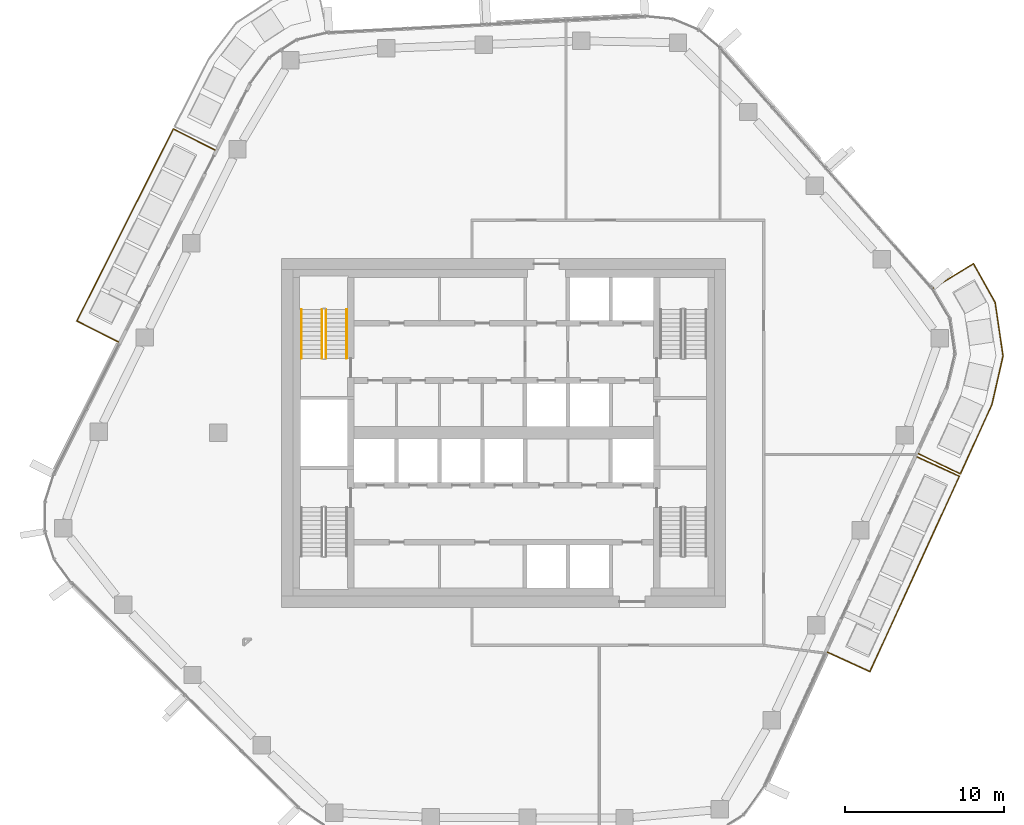
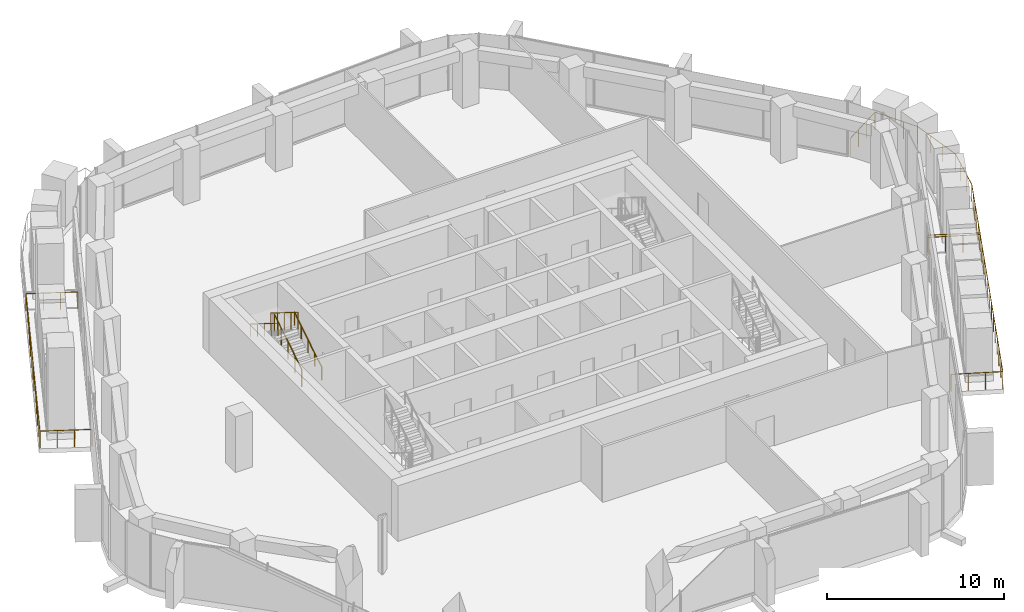
# One storey, part 19 of 22: 7 railings.
"""IFC4 building model written with IfcOpenShell, lengths in metres."""

from ifc_helpers import new_model, si_unit, direction, frame, origin, origin_2d, place, context, subcontext, project, spatial, circle, extrude, material, type_object, element, save


model = new_model("IFC4")

# Units and contexts
model_context = context("Model", 3, precision=1e-05, world=origin(), true_north=direction((0.0, 1.0)))
body_context = subcontext(model_context, "Body", "Model", "MODEL_VIEW")
ifc_project = project(units=[si_unit("LENGTHUNIT", "METRE"), si_unit("AREAUNIT", "SQUARE_METRE"), si_unit("VOLUMEUNIT", "CUBIC_METRE"), si_unit("PLANEANGLEUNIT", "RADIAN"), si_unit("MASSUNIT", "GRAM", prefix="KILO")], contexts=[model_context])

# Site, building, storey
site_placement = place(None, origin())
site = spatial("IfcSite", under=ifc_project, at=site_placement, CompositionType="ELEMENT")
building_placement = place(site_placement, origin())
building = spatial("IfcBuilding", under=site, at=building_placement, Name="Dongbaek Canopy Tower", CompositionType="ELEMENT")
storey_placement = place(building_placement, frame((0.0, 0.0, 237.0)))
storey = spatial("IfcBuildingStorey", under=building, at=storey_placement, Name="L49", CompositionType="ELEMENT", Elevation=237.0)

# Railings
ifc_material_1 = material(Name="Stainless steel", Category="steel")
railing_type_1 = type_object("IfcRailingType", Name="Balcony balustrade 1200", PredefinedType="BALUSTRADE", material=ifc_material_1)
railing_1_placement = place(storey_placement, frame((-18.20263671875, 17.837646484375, 0.0)))
element("IfcRailing", 1, at=railing_1_placement, inside=storey, type_object=railing_type_1, Name="Balcony guard L49 1", PredefinedType="BALUSTRADE", context=body_context, shape_type="SweptSolid", body=[
    extrude(circle(Radius=0.02392578125, at=origin_2d()), frame((0.0, 0.0, 1.17578125), z_axis=(-0.893561857338, 0.448940093008, 0.0), x_axis=(-0.448940093008, -0.893561857338, 0.0)), (0.0, 0.0, 1.0), 2.93994140625),
    extrude(circle(Radius=0.02392578125, at=origin_2d()), frame((-2.626953125, 1.31982421875, 1.17578125), z_axis=(-0.448906235876, -0.893578866912, 0.0), x_axis=(0.893578866912, -0.448906235876, 0.0)), (0.0, 0.0, 1.0), 13.5517578125),
    extrude(circle(Radius=0.02392578125, at=origin_2d()), frame((-8.71044921875, -10.789794921875, 1.17578125), z_axis=(0.893561857338, -0.448940093008, 0.0), x_axis=(0.448940093008, 0.893561857338, 0.0)), (0.0, 0.0, 1.0), 2.93994140625),
    extrude(circle(Radius=0.02099609375, at=origin_2d()), origin(), (0.0, 0.0, 1.0), 1.15185546875),
    extrude(circle(Radius=0.02099609375, at=origin_2d()), frame((-0.875732421875, 0.43994140625, 0.0)), (0.0, 0.0, 1.0), 1.15185546875),
    extrude(circle(Radius=0.02099609375, at=origin_2d()), frame((-1.751220703125, 0.8798828125, 0.0)), (0.0, 0.0, 1.0), 1.15185546875),
    extrude(circle(Radius=0.02099609375, at=origin_2d()), frame((-2.626953125, 1.31982421875, 0.0)), (0.0, 0.0, 1.0), 1.15185546875),
    extrude(circle(Radius=0.02099609375, at=origin_2d()), frame((-3.1337890625, 0.310791015625, 0.0)), (0.0, 0.0, 1.0), 1.15185546875),
    extrude(circle(Radius=0.02099609375, at=origin_2d()), frame((-3.640869140625, -0.698486328125, 0.0)), (0.0, 0.0, 1.0), 1.15185546875),
    extrude(circle(Radius=0.02099609375, at=origin_2d()), frame((-4.14794921875, -1.70751953125, 0.0)), (0.0, 0.0, 1.0), 1.15185546875),
    extrude(circle(Radius=0.02099609375, at=origin_2d()), frame((-4.65478515625, -2.716796875, 0.0)), (0.0, 0.0, 1.0), 1.15185546875),
    extrude(circle(Radius=0.02099609375, at=origin_2d()), frame((-5.16162109375, -3.725830078125, 0.0)), (0.0, 0.0, 1.0), 1.15185546875),
    extrude(circle(Radius=0.02099609375, at=origin_2d()), frame((-5.668701171875, -4.73486328125, 0.0)), (0.0, 0.0, 1.0), 1.15185546875),
    extrude(circle(Radius=0.02099609375, at=origin_2d()), frame((-6.17578125, -5.744140625, 0.0)), (0.0, 0.0, 1.0), 1.15185546875),
    extrude(circle(Radius=0.02099609375, at=origin_2d()), frame((-6.6826171875, -6.753173828125, 0.0)), (0.0, 0.0, 1.0), 1.15185546875),
    extrude(circle(Radius=0.02099609375, at=origin_2d()), frame((-7.189453125, -7.762451171875, 0.0)), (0.0, 0.0, 1.0), 1.15185546875),
    extrude(circle(Radius=0.02099609375, at=origin_2d()), frame((-7.696533203125, -8.771484375, 0.0)), (0.0, 0.0, 1.0), 1.15185546875),
    extrude(circle(Radius=0.02099609375, at=origin_2d()), frame((-8.20361328125, -9.78076171875, 0.0)), (0.0, 0.0, 1.0), 1.15185546875),
    extrude(circle(Radius=0.02099609375, at=origin_2d()), frame((-8.71044921875, -10.789794921875, 0.0)), (0.0, 0.0, 1.0), 1.15185546875),
    extrude(circle(Radius=0.02099609375, at=origin_2d()), frame((-7.834716796875, -11.229736328125, 0.0)), (0.0, 0.0, 1.0), 1.15185546875),
    extrude(circle(Radius=0.02099609375, at=origin_2d()), frame((-6.959228515625, -11.669677734375, 0.0)), (0.0, 0.0, 1.0), 1.15185546875),
    extrude(circle(Radius=0.02099609375, at=origin_2d()), frame((-6.08349609375, -12.109619140625, 0.0)), (0.0, 0.0, 1.0), 1.15185546875),
])
railing_2_placement = place(storey_placement, frame((20.420166015625, -13.833740234375, 0.0)))
element("IfcRailing", 2, at=railing_2_placement, inside=storey, type_object=railing_type_1, Name="Balcony guard L49 2", PredefinedType="BALUSTRADE", context=body_context, shape_type="SweptSolid", body=[
    extrude(circle(Radius=0.02392578125, at=origin_2d()), frame((0.0, 0.0, 1.17578125), z_axis=(0.909339851733, -0.416054123944, 0.0), x_axis=(0.416054123944, 0.909339851733, 0.0)), (0.0, 0.0, 1.0), 2.93994140625),
    extrude(circle(Radius=0.02392578125, at=origin_2d()), frame((2.67333984375, -1.22314453125, 1.17578125), z_axis=(0.416110312837, 0.90931414129, 0.0), x_axis=(-0.90931414129, 0.416110312837, 0.0)), (0.0, 0.0, 1.0), 13.54443359375),
    extrude(circle(Radius=0.02392578125, at=origin_2d()), frame((8.309326171875, 11.093017578125, 1.17578125), z_axis=(-0.90930843153, 0.41612278999, 0.0), x_axis=(-0.41612278999, -0.90930843153, 0.0)), (0.0, 0.0, 1.0), 2.93994140625),
    extrude(circle(Radius=0.02099609375, at=origin_2d()), origin(), (0.0, 0.0, 1.0), 1.15185546875),
    extrude(circle(Radius=0.02099609375, at=origin_2d()), frame((0.89111328125, -0.40771484375, 0.0)), (0.0, 0.0, 1.0), 1.15185546875),
    extrude(circle(Radius=0.02099609375, at=origin_2d()), frame((1.7822265625, -0.8154296875, 0.0)), (0.0, 0.0, 1.0), 1.15185546875),
    extrude(circle(Radius=0.02099609375, at=origin_2d()), frame((2.67333984375, -1.22314453125, 0.0)), (0.0, 0.0, 1.0), 1.15185546875),
    extrude(circle(Radius=0.02099609375, at=origin_2d()), frame((3.14306640625, -0.19677734375, 0.0)), (0.0, 0.0, 1.0), 1.15185546875),
    extrude(circle(Radius=0.02099609375, at=origin_2d()), frame((3.61279296875, 0.82958984375, 0.0)), (0.0, 0.0, 1.0), 1.15185546875),
    extrude(circle(Radius=0.02099609375, at=origin_2d()), frame((4.082275390625, 1.85595703125, 0.0)), (0.0, 0.0, 1.0), 1.15185546875),
    extrude(circle(Radius=0.02099609375, at=origin_2d()), frame((4.552001953125, 2.88232421875, 0.0)), (0.0, 0.0, 1.0), 1.15185546875),
    extrude(circle(Radius=0.02099609375, at=origin_2d()), frame((5.021728515625, 3.90869140625, 0.0)), (0.0, 0.0, 1.0), 1.15185546875),
    extrude(circle(Radius=0.02099609375, at=origin_2d()), frame((5.4912109375, 4.93505859375, 0.0)), (0.0, 0.0, 1.0), 1.15185546875),
    extrude(circle(Radius=0.02099609375, at=origin_2d()), frame((5.9609375, 5.961181640625, 0.0)), (0.0, 0.0, 1.0), 1.15185546875),
    extrude(circle(Radius=0.02099609375, at=origin_2d()), frame((6.4306640625, 6.987548828125, 0.0)), (0.0, 0.0, 1.0), 1.15185546875),
    extrude(circle(Radius=0.02099609375, at=origin_2d()), frame((6.900390625, 8.013916015625, 0.0)), (0.0, 0.0, 1.0), 1.15185546875),
    extrude(circle(Radius=0.02099609375, at=origin_2d()), frame((7.3701171875, 9.040283203125, 0.0)), (0.0, 0.0, 1.0), 1.15185546875),
    extrude(circle(Radius=0.02099609375, at=origin_2d()), frame((7.839599609375, 10.066650390625, 0.0)), (0.0, 0.0, 1.0), 1.15185546875),
    extrude(circle(Radius=0.02099609375, at=origin_2d()), frame((8.309326171875, 11.093017578125, 0.0)), (0.0, 0.0, 1.0), 1.15185546875),
    extrude(circle(Radius=0.02099609375, at=origin_2d()), frame((7.418212890625, 11.500732421875, 0.0)), (0.0, 0.0, 1.0), 1.15185546875),
    extrude(circle(Radius=0.02099609375, at=origin_2d()), frame((6.527099609375, 11.90869140625, 0.0)), (0.0, 0.0, 1.0), 1.15185546875),
    extrude(circle(Radius=0.02099609375, at=origin_2d()), frame((5.635986328125, 12.31640625, 0.0)), (0.0, 0.0, 1.0), 1.15185546875),
])
railing_3_placement = place(storey_placement, frame((26.147705078125, -1.3173828125, 0.0)))
element("IfcRailing", 3, at=railing_3_placement, inside=storey, type_object=railing_type_1, Name="Balcony guard L49 3", PredefinedType="BALUSTRADE", context=body_context, shape_type="SweptSolid", body=[
    extrude(circle(Radius=0.02392578125, at=origin_2d()), frame((0.0, 0.0, 1.17578125), z_axis=(0.900648008926, -0.434549380413, 0.0), x_axis=(0.434549380413, 0.900648008926, 0.0)), (0.0, 0.0, 1.0), 2.940673828125),
    extrude(circle(Radius=0.02392578125, at=origin_2d()), frame((2.6484375, -1.27783203125, 1.17578125), z_axis=(0.413573956209, 0.910470528213, 0.0), x_axis=(-0.910470528213, 0.413573956209, 0.0)), (0.0, 0.0, 1.0), 4.820068359375),
    extrude(circle(Radius=0.02392578125, at=origin_2d()), frame((4.641845703125, 3.110595703125, 1.17578125), z_axis=(0.22237203098, 0.974961886351, 0.0), x_axis=(-0.974961886351, 0.22237203098, 0.0)), (0.0, 0.0, 1.0), 3.13330078125),
    extrude(circle(Radius=0.02392578125, at=origin_2d()), frame((5.338623046875, 6.16552734375, 1.17578125), z_axis=(-0.146377531235, 0.989228799798, 0.0), x_axis=(-0.989228799798, -0.146377531235, 0.0)), (0.0, 0.0, 1.0), 3.41259765625),
    extrude(circle(Radius=0.02392578125, at=origin_2d()), frame((4.839111328125, 9.541259765625, 1.17578125), z_axis=(-0.489706776899, 0.871887190329, 0.0), x_axis=(-0.871887190329, -0.489706776899, 0.0)), (0.0, 0.0, 1.0), 2.8017578125),
    extrude(circle(Radius=0.02392578125, at=origin_2d()), frame((3.467041015625, 11.984130859375, 1.17578125), z_axis=(-0.85177802497, -0.523902849943, 0.0), x_axis=(0.523902849943, -0.85177802497, 0.0)), (0.0, 0.0, 1.0), 2.9404296875),
    extrude(circle(Radius=0.02099609375, at=origin_2d()), origin(), (0.0, 0.0, 1.0), 1.15185546875),
    extrude(circle(Radius=0.02099609375, at=origin_2d()), frame((0.8828125, -0.426025390625, 0.0)), (0.0, 0.0, 1.0), 1.15185546875),
    extrude(circle(Radius=0.02099609375, at=origin_2d()), frame((1.765625, -0.851806640625, 0.0)), (0.0, 0.0, 1.0), 1.15185546875),
    extrude(circle(Radius=0.02099609375, at=origin_2d()), frame((2.6484375, -1.27783203125, 0.0)), (0.0, 0.0, 1.0), 1.15185546875),
    extrude(circle(Radius=0.02099609375, at=origin_2d()), frame((3.047119140625, -0.400146484375, 0.0)), (0.0, 0.0, 1.0), 1.15185546875),
    extrude(circle(Radius=0.02099609375, at=origin_2d()), frame((3.44580078125, 0.4775390625, 0.0)), (0.0, 0.0, 1.0), 1.15185546875),
    extrude(circle(Radius=0.02099609375, at=origin_2d()), frame((3.844482421875, 1.355224609375, 0.0)), (0.0, 0.0, 1.0), 1.15185546875),
    extrude(circle(Radius=0.02099609375, at=origin_2d()), frame((4.2431640625, 2.23291015625, 0.0)), (0.0, 0.0, 1.0), 1.15185546875),
    extrude(circle(Radius=0.02099609375, at=origin_2d()), frame((4.641845703125, 3.110595703125, 0.0)), (0.0, 0.0, 1.0), 1.15185546875),
    extrude(circle(Radius=0.02099609375, at=origin_2d()), frame((4.8740234375, 4.12890625, 0.0)), (0.0, 0.0, 1.0), 1.15185546875),
    extrude(circle(Radius=0.02099609375, at=origin_2d()), frame((5.1064453125, 5.147216796875, 0.0)), (0.0, 0.0, 1.0), 1.15185546875),
    extrude(circle(Radius=0.02099609375, at=origin_2d()), frame((5.338623046875, 6.16552734375, 0.0)), (0.0, 0.0, 1.0), 1.15185546875),
    extrude(circle(Radius=0.02099609375, at=origin_2d()), frame((5.172119140625, 7.290771484375, 0.0)), (0.0, 0.0, 1.0), 1.15185546875),
    extrude(circle(Radius=0.02099609375, at=origin_2d()), frame((5.005615234375, 8.416015625, 0.0)), (0.0, 0.0, 1.0), 1.15185546875),
    extrude(circle(Radius=0.02099609375, at=origin_2d()), frame((4.839111328125, 9.541259765625, 0.0)), (0.0, 0.0, 1.0), 1.15185546875),
    extrude(circle(Radius=0.02099609375, at=origin_2d()), frame((4.3818359375, 10.35546875, 0.0)), (0.0, 0.0, 1.0), 1.15185546875),
    extrude(circle(Radius=0.02099609375, at=origin_2d()), frame((3.92431640625, 11.169921875, 0.0)), (0.0, 0.0, 1.0), 1.15185546875),
    extrude(circle(Radius=0.02099609375, at=origin_2d()), frame((3.467041015625, 11.984130859375, 0.0)), (0.0, 0.0, 1.0), 1.15185546875),
    extrude(circle(Radius=0.02099609375, at=origin_2d()), frame((2.632080078125, 11.470703125, 0.0)), (0.0, 0.0, 1.0), 1.15185546875),
    extrude(circle(Radius=0.02099609375, at=origin_2d()), frame((1.79736328125, 10.95703125, 0.0)), (0.0, 0.0, 1.0), 1.15185546875),
    extrude(circle(Radius=0.02099609375, at=origin_2d()), frame((0.96240234375, 10.443603515625, 0.0)), (0.0, 0.0, 1.0), 1.15185546875),
])
ifc_material_2 = material(Name="Stainless steel tube and balusters", Category="steel")
railing_type_2 = type_object("IfcRailingType", Name="Stair guard 1200", PredefinedType="GUARDRAIL", material=ifc_material_2)
railing_4_placement = place(storey_placement, frame((-11.199951171875, 4.699951171875, 0.175048828125)))
element("IfcRailing", 4, at=railing_4_placement, inside=storey, type_object=railing_type_2, Name="L49 ST-C stair guard 1", PredefinedType="GUARDRAIL", context=body_context, shape_type="SweptSolid", body=[
    extrude(circle(Radius=0.02392578125, at=origin_2d()), frame((0.0, 0.0, 1.17578125), z_axis=(0.0, 0.847998304005, 0.529998940003), x_axis=(-1.0, 0.0, 0.0)), (0.0, 0.0, 1.0), 3.632080078125),
    extrude(circle(Radius=0.02099609375, at=origin_2d()), origin(), (0.0, 0.0, 1.0), 1.15185546875),
    extrude(circle(Radius=0.02099609375, at=origin_2d()), frame((0.0, 0.77001953125, 0.481201171875)), (0.0, 0.0, 1.0), 1.15185546875),
    extrude(circle(Radius=0.02099609375, at=origin_2d()), frame((0.0, 1.5400390625, 0.96240234375)), (0.0, 0.0, 1.0), 1.15185546875),
    extrude(circle(Radius=0.02099609375, at=origin_2d()), frame((0.0, 2.31005859375, 1.44384765625)), (0.0, 0.0, 1.0), 1.15185546875),
    extrude(circle(Radius=0.02099609375, at=origin_2d()), frame((0.0, 3.080078125, 1.925048828125)), (0.0, 0.0, 1.0), 1.15185546875),
])
railing_5_placement = place(storey_placement, frame((-11.449951171875, 7.780029296875, 2.27490234375)))
element("IfcRailing", 5, at=railing_5_placement, inside=storey, type_object=railing_type_2, Name="L49 ST-C stair guard 3", PredefinedType="GUARDRAIL", context=body_context, shape_type="SweptSolid", body=[
    extrude(circle(Radius=0.02392578125, at=origin_2d()), frame((0.0, 0.0, 1.17578125), z_axis=(0.0, -0.847998304005, 0.529998940003), x_axis=(1.0, 0.0, 0.0)), (0.0, 0.0, 1.0), 3.632080078125),
    extrude(circle(Radius=0.02099609375, at=origin_2d()), origin(), (0.0, 0.0, 1.0), 1.15185546875),
    extrude(circle(Radius=0.02099609375, at=origin_2d()), frame((0.0, -0.77001953125, 0.481201171875)), (0.0, 0.0, 1.0), 1.15185546875),
    extrude(circle(Radius=0.02099609375, at=origin_2d()), frame((0.0, -1.5400390625, 0.96240234375)), (0.0, 0.0, 1.0), 1.15185546875),
    extrude(circle(Radius=0.02099609375, at=origin_2d()), frame((0.0, -2.31005859375, 1.44384765625)), (0.0, 0.0, 1.0), 1.15185546875),
    extrude(circle(Radius=0.02099609375, at=origin_2d()), frame((0.0, -3.080078125, 1.925048828125)), (0.0, 0.0, 1.0), 1.15185546875),
])
ifc_material_3 = material(Name="Stainless steel tube", Category="steel")
railing_type_3 = type_object("IfcRailingType", Name="Stair handrail 900", PredefinedType="HANDRAIL", material=ifc_material_3)
railing_6_placement = place(storey_placement, frame((-9.89990234375, 4.699951171875, 0.175048828125)))
element("IfcRailing", 6, at=railing_6_placement, inside=storey, type_object=railing_type_3, Name="L49 ST-C stair handrail 1", PredefinedType="HANDRAIL", context=body_context, shape_type="SweptSolid", body=[
    extrude(circle(Radius=0.02392578125, at=origin_2d()), frame((0.0, 0.0, 0.8759765625), z_axis=(0.0, 0.847998304005, 0.529998940003), x_axis=(-1.0, 0.0, 0.0)), (0.0, 0.0, 1.0), 3.632080078125),
    extrude(circle(Radius=0.02099609375, at=origin_2d()), origin(), (0.0, 0.0, 1.0), 0.851806640625),
    extrude(circle(Radius=0.02099609375, at=origin_2d()), frame((0.0, 0.77001953125, 0.481201171875)), (0.0, 0.0, 1.0), 0.851806640625),
    extrude(circle(Radius=0.02099609375, at=origin_2d()), frame((0.0, 1.5400390625, 0.96240234375)), (0.0, 0.0, 1.0), 0.851806640625),
    extrude(circle(Radius=0.02099609375, at=origin_2d()), frame((0.0, 2.31005859375, 1.44384765625)), (0.0, 0.0, 1.0), 0.851806640625),
    extrude(circle(Radius=0.02099609375, at=origin_2d()), frame((0.0, 3.080078125, 1.925048828125)), (0.0, 0.0, 1.0), 0.851806640625),
])
railing_7_placement = place(storey_placement, frame((-12.75, 7.780029296875, 2.27490234375)))
element("IfcRailing", 7, at=railing_7_placement, inside=storey, type_object=railing_type_3, Name="L49 ST-C stair handrail 2", PredefinedType="HANDRAIL", context=body_context, shape_type="SweptSolid", body=[
    extrude(circle(Radius=0.02392578125, at=origin_2d()), frame((0.0, 0.0, 0.8759765625), z_axis=(0.0, -0.847998304005, 0.529998940003), x_axis=(1.0, 0.0, 0.0)), (0.0, 0.0, 1.0), 3.632080078125),
    extrude(circle(Radius=0.02099609375, at=origin_2d()), origin(), (0.0, 0.0, 1.0), 0.851806640625),
    extrude(circle(Radius=0.02099609375, at=origin_2d()), frame((0.0, -0.77001953125, 0.481201171875)), (0.0, 0.0, 1.0), 0.851806640625),
    extrude(circle(Radius=0.02099609375, at=origin_2d()), frame((0.0, -1.5400390625, 0.96240234375)), (0.0, 0.0, 1.0), 0.851806640625),
    extrude(circle(Radius=0.02099609375, at=origin_2d()), frame((0.0, -2.31005859375, 1.44384765625)), (0.0, 0.0, 1.0), 0.851806640625),
    extrude(circle(Radius=0.02099609375, at=origin_2d()), frame((0.0, -3.080078125, 1.925048828125)), (0.0, 0.0, 1.0), 0.851806640625),
])

save(model, "model.ifc")
